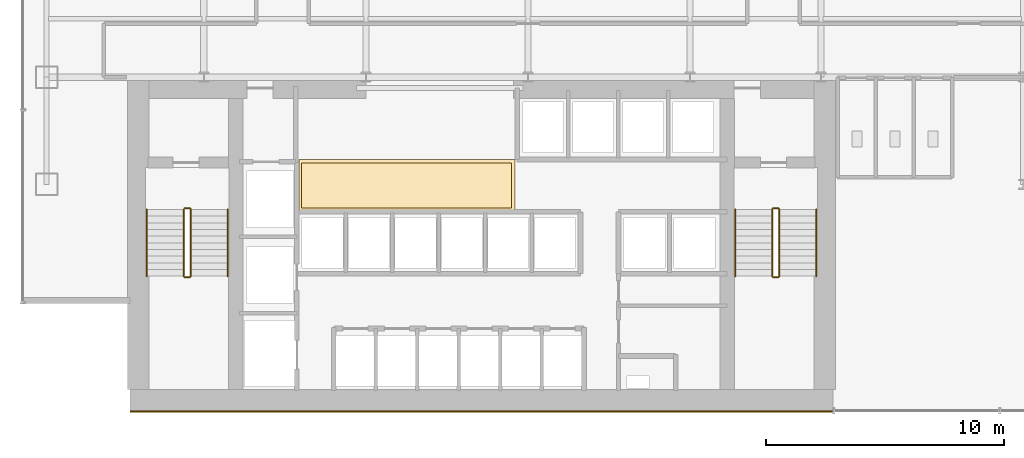
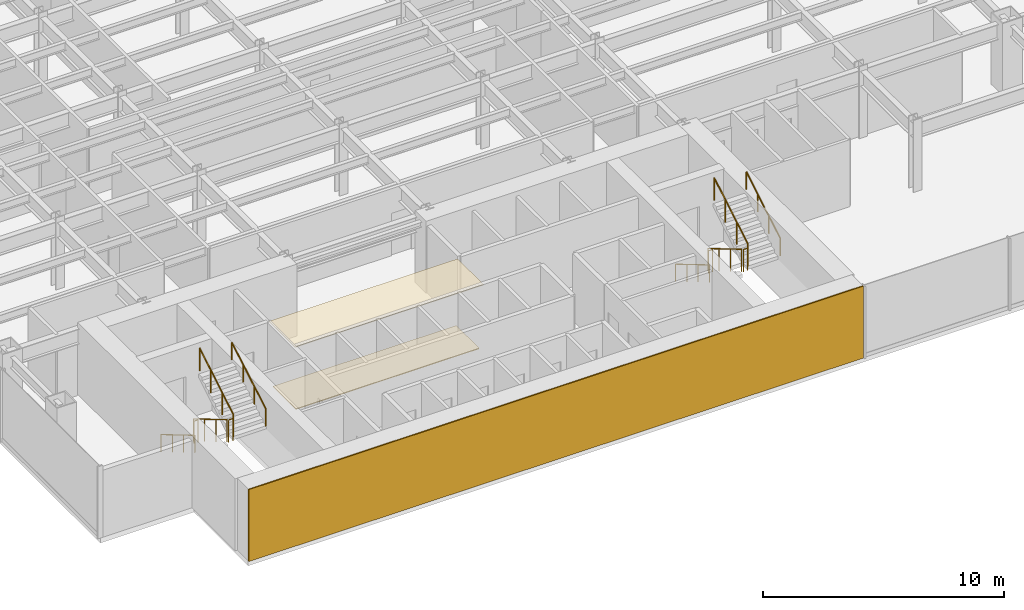
# One storey, part 21 of 23: 12 railings, 3 coverings.
"""IFC4 building model written with IfcOpenShell, lengths in metres."""

from ifc_helpers import new_model, si_unit, derived_unit, direction, frame, origin, origin_2d, place, context, subcontext, project, spatial, polyline, rectangle, circle, outline, extrude, source, transform, mapped, material, layer, layer_set, type_object, element, save


model = new_model("IFC4")

# Units and contexts
model_context = context("Model", 3, precision=1e-05, world=origin(), true_north=direction((0.0, 1.0)))
body_context = subcontext(model_context, "Body", "Model", "MODEL_VIEW")
ifc_project = project(units=[si_unit("LENGTHUNIT", "METRE"), si_unit("AREAUNIT", "SQUARE_METRE"), si_unit("VOLUMEUNIT", "CUBIC_METRE"), si_unit("PLANEANGLEUNIT", "RADIAN"), si_unit("MASSUNIT", "GRAM", prefix="KILO"), derived_unit("THERMALTRANSMITTANCEUNIT", [(si_unit("POWERUNIT", "WATT"), 1), (si_unit("LENGTHUNIT", "METRE"), -2), (si_unit("THERMODYNAMICTEMPERATUREUNIT", "KELVIN"), -1)])], contexts=[model_context])

# Site, building, storey
site_placement = place(None, origin())
site = spatial("IfcSite", under=ifc_project, at=site_placement, CompositionType="ELEMENT")
building_placement = place(site_placement, origin())
building = spatial("IfcBuilding", under=site, at=building_placement, Name="Skarnbrae Concourse Arena and Tower", CompositionType="ELEMENT")
storey_placement = place(building_placement, frame((0.0, 0.0, 43.449951171875)))
storey = spatial("IfcBuildingStorey", under=building, at=storey_placement, Name="L09", CompositionType="ELEMENT", Elevation=43.449951171875)

# Coverings
ifc_material_1 = material(Name="Mineral fibre acoustic ceiling tile", Category="other")
ifc_layer_1 = layer(ifc_material_1, 0.0400390625)
ifc_layer_set_1 = layer_set([ifc_layer_1], Name="Mineral fibre acoustic ceiling tile")
covering_type_1 = type_object("IfcCoveringType", Name="COV-CEIL-ACOUSTIC", PredefinedType="CEILING", material=ifc_layer_set_1)
covering_1_placement = place(storey_placement, frame((0.0, 0.0, 3.239990234375)))
element("IfcCovering", 1, at=covering_1_placement, inside=storey, type_object=covering_type_1, Name="L09 Lift lobby acoustic ceiling", PredefinedType="CEILING", context=body_context, shape_type="SweptSolid", body=[
    extrude(outline(polyline([(11.60009765625, 8.39990234375), (20.64990234375, 8.39990234375), (20.64990234375, 10.550048828125), (11.60009765625, 10.550048828125), (11.60009765625, 8.39990234375)])), origin(), (0.0, 0.0, 1.0), 0.0400390625),
])
ifc_material_2 = material(Name="Polished granite terrazzo flooring", Category="masonry")
ifc_layer_2 = layer(ifc_material_2, 0.0400390625)
ifc_layer_set_2 = layer_set([ifc_layer_2], Name="Polished granite terrazzo flooring")
covering_type_2 = type_object("IfcCoveringType", Name="COV-FLOOR-TERRAZZO", PredefinedType="FLOORING", material=ifc_layer_set_2)
covering_2_placement = place(storey_placement, origin())
element("IfcCovering", 2, at=covering_2_placement, inside=storey, type_object=covering_type_2, Name="L09 Lift lobby terrazzo flooring", PredefinedType="FLOORING", context=body_context, shape_type="SweptSolid", body=[
    extrude(outline(polyline([(11.699951171875, 8.5), (20.5, 8.5), (20.5, 10.39990234375), (11.699951171875, 10.39990234375), (11.699951171875, 8.5)])), origin(), (0.0, 0.0, 1.0), 0.0400390625),
])

# Railings
ifc_material_3 = material(Name="Steel CSA G40.21 350W", Category="steel")
railing_type_1 = type_object("IfcRailingType", Name="RAIL-HANDRAIL-900", PredefinedType="HANDRAIL", material=ifc_material_3)
railing_1_placement = place(storey_placement, frame((5.199951171875, 8.449951171875, 0.166015625)))
element("IfcRailing", 3, at=railing_1_placement, inside=storey, type_object=railing_type_1, Name="L09 ST-1 stair handrail 1", PredefinedType="HANDRAIL", context=body_context, shape_type="SweptSolid", body=[
    extrude(circle(Radius=0.02392578125, at=origin_2d()), frame((0.0, 0.0, 0.8759765625), z_axis=(0.0, -0.860339051648, 0.50972219513), x_axis=(1.0, 0.0, 0.0)), (0.0, 0.0, 1.0), 3.254638671875),
    extrude(circle(Radius=0.02099609375, at=origin_2d()), origin(), (0.0, 0.0, 1.0), 0.851806640625),
    extrude(circle(Radius=0.02099609375, at=origin_2d()), frame((0.0, -0.933349609375, 0.552978515625)), (0.0, 0.0, 1.0), 0.851806640625),
    extrude(circle(Radius=0.02099609375, at=origin_2d()), frame((0.0, -1.86669921875, 1.10595703125)), (0.0, 0.0, 1.0), 0.851806640625),
    extrude(circle(Radius=0.02099609375, at=origin_2d()), frame((0.0, -2.800048828125, 1.658935546875)), (0.0, 0.0, 1.0), 0.851806640625),
])
railing_2_placement = place(storey_placement, frame((8.60009765625, 5.64990234375, 1.990966796875)))
element("IfcRailing", 4, at=railing_2_placement, inside=storey, type_object=railing_type_1, Name="L09 ST-1 stair handrail 2", PredefinedType="HANDRAIL", context=body_context, shape_type="SweptSolid", body=[
    extrude(circle(Radius=0.02392578125, at=origin_2d()), frame((0.0, 0.0, 0.8759765625), z_axis=(0.0, 0.860306154799, 0.50977771628), x_axis=(-1.0, 0.0, 0.0)), (0.0, 0.0, 1.0), 3.254638671875),
    extrude(circle(Radius=0.02099609375, at=origin_2d()), origin(), (0.0, 0.0, 1.0), 0.851806640625),
    extrude(circle(Radius=0.02099609375, at=origin_2d()), frame((0.0, 0.933349609375, 0.552978515625)), (0.0, 0.0, 1.0), 0.851806640625),
    extrude(circle(Radius=0.02099609375, at=origin_2d()), frame((0.0, 1.86669921875, 1.106201171875)), (0.0, 0.0, 1.0), 0.851806640625),
    extrude(circle(Radius=0.02099609375, at=origin_2d()), frame((0.0, 2.800048828125, 1.6591796875)), (0.0, 0.0, 1.0), 0.851806640625),
])
railing_3_placement = place(storey_placement, frame((29.89990234375, 8.449951171875, 0.166015625)))
element("IfcRailing", 5, at=railing_3_placement, inside=storey, type_object=railing_type_1, Name="L09 ST-2 stair handrail 1", PredefinedType="HANDRAIL", context=body_context, shape_type="SweptSolid", body=[
    extrude(circle(Radius=0.02392578125, at=origin_2d()), frame((0.0, 0.0, 0.8759765625), z_axis=(0.0, -0.860339051648, 0.50972219513), x_axis=(1.0, 0.0, 0.0)), (0.0, 0.0, 1.0), 3.254638671875),
    extrude(circle(Radius=0.02099609375, at=origin_2d()), origin(), (0.0, 0.0, 1.0), 0.851806640625),
    extrude(circle(Radius=0.02099609375, at=origin_2d()), frame((0.0, -0.933349609375, 0.552978515625)), (0.0, 0.0, 1.0), 0.851806640625),
    extrude(circle(Radius=0.02099609375, at=origin_2d()), frame((0.0, -1.86669921875, 1.10595703125)), (0.0, 0.0, 1.0), 0.851806640625),
    extrude(circle(Radius=0.02099609375, at=origin_2d()), frame((0.0, -2.800048828125, 1.658935546875)), (0.0, 0.0, 1.0), 0.851806640625),
])
railing_4_placement = place(storey_placement, frame((33.300048828125, 5.64990234375, 1.990966796875)))
element("IfcRailing", 6, at=railing_4_placement, inside=storey, type_object=railing_type_1, Name="L09 ST-2 stair handrail 2", PredefinedType="HANDRAIL", context=body_context, shape_type="SweptSolid", body=[
    extrude(circle(Radius=0.02392578125, at=origin_2d()), frame((0.0, 0.0, 0.8759765625), z_axis=(0.0, 0.860306154799, 0.50977771628), x_axis=(-1.0, 0.0, 0.0)), (0.0, 0.0, 1.0), 3.254638671875),
    extrude(circle(Radius=0.02099609375, at=origin_2d()), origin(), (0.0, 0.0, 1.0), 0.851806640625),
    extrude(circle(Radius=0.02099609375, at=origin_2d()), frame((0.0, 0.933349609375, 0.552978515625)), (0.0, 0.0, 1.0), 0.851806640625),
    extrude(circle(Radius=0.02099609375, at=origin_2d()), frame((0.0, 1.86669921875, 1.106201171875)), (0.0, 0.0, 1.0), 0.851806640625),
    extrude(circle(Radius=0.02099609375, at=origin_2d()), frame((0.0, 2.800048828125, 1.6591796875)), (0.0, 0.0, 1.0), 0.851806640625),
])
railing_type_2 = type_object("IfcRailingType", Name="RAIL-STAIR-GUARD-1150", PredefinedType="GUARDRAIL", material=ifc_material_3)
railing_5_placement = place(storey_placement, frame((6.75, 8.449951171875, 0.166015625)))
element("IfcRailing", 7, at=railing_5_placement, inside=storey, type_object=railing_type_2, Name="L09 ST-1 stair guard 1", PredefinedType="GUARDRAIL", context=body_context, shape_type="SweptSolid", body=[
    extrude(circle(Radius=0.02392578125, at=origin_2d()), frame((0.0, 0.0, 1.1259765625), z_axis=(0.0, -0.860339051648, 0.50972219513), x_axis=(1.0, 0.0, 0.0)), (0.0, 0.0, 1.0), 3.254638671875),
    extrude(circle(Radius=0.02099609375, at=origin_2d()), origin(), (0.0, 0.0, 1.0), 1.101806640625),
    extrude(circle(Radius=0.02099609375, at=origin_2d()), frame((0.0, -0.933349609375, 0.552978515625)), (0.0, 0.0, 1.0), 1.101806640625),
    extrude(circle(Radius=0.02099609375, at=origin_2d()), frame((0.0, -1.86669921875, 1.10595703125)), (0.0, 0.0, 1.0), 1.101806640625),
    extrude(circle(Radius=0.02099609375, at=origin_2d()), frame((0.0, -2.800048828125, 1.658935546875)), (0.0, 0.0, 1.0), 1.101806640625),
])
railing_6_placement = place(storey_placement, frame((6.800048828125, 5.60009765625, 1.824951171875)))
element("IfcRailing", 8, at=railing_6_placement, inside=storey, type_object=railing_type_2, Name="L09 ST-1 stair guard 2", PredefinedType="GUARDRAIL", context=body_context, shape_type="SweptSolid", body=[
    extrude(circle(Radius=0.02392578125, at=origin_2d()), frame((0.0, 0.0, 1.1259765625), z_axis=(1.0, 0.0, 0.0), x_axis=(0.0, 1.0, 0.0)), (0.0, 0.0, 1.0), 0.199951171875),
    extrude(circle(Radius=0.02099609375, at=origin_2d()), origin(), (0.0, 0.0, 1.0), 1.101806640625),
    extrude(circle(Radius=0.02099609375, at=origin_2d()), frame((0.199951171875, 0.0, 0.0)), (0.0, 0.0, 1.0), 1.101806640625),
])
railing_7_placement = place(storey_placement, frame((7.050048828125, 5.64990234375, 1.990966796875)))
element("IfcRailing", 9, at=railing_7_placement, inside=storey, type_object=railing_type_2, Name="L09 ST-1 stair guard 3", PredefinedType="GUARDRAIL", context=body_context, shape_type="SweptSolid", body=[
    extrude(circle(Radius=0.02392578125, at=origin_2d()), frame((0.0, 0.0, 1.1259765625), z_axis=(0.0, 0.860306154799, 0.50977771628), x_axis=(-1.0, 0.0, 0.0)), (0.0, 0.0, 1.0), 3.254638671875),
    extrude(circle(Radius=0.02099609375, at=origin_2d()), origin(), (0.0, 0.0, 1.0), 1.101806640625),
    extrude(circle(Radius=0.02099609375, at=origin_2d()), frame((0.0, 0.933349609375, 0.552978515625)), (0.0, 0.0, 1.0), 1.101806640625),
    extrude(circle(Radius=0.02099609375, at=origin_2d()), frame((0.0, 1.86669921875, 1.106201171875)), (0.0, 0.0, 1.0), 1.101806640625),
    extrude(circle(Radius=0.02099609375, at=origin_2d()), frame((0.0, 2.800048828125, 1.6591796875)), (0.0, 0.0, 1.0), 1.101806640625),
])
railing_8_placement = place(storey_placement, frame((6.800048828125, 8.5, 0.0)))
element("IfcRailing", 10, at=railing_8_placement, inside=storey, type_object=railing_type_2, Name="L09 ST-1 stair guard 4", PredefinedType="GUARDRAIL", context=body_context, shape_type="SweptSolid", body=[
    extrude(circle(Radius=0.02392578125, at=origin_2d()), frame((0.0, 0.0, 1.1259765625), z_axis=(1.0, 0.0, 0.0), x_axis=(0.0, 1.0, 0.0)), (0.0, 0.0, 1.0), 0.199951171875),
    extrude(circle(Radius=0.02099609375, at=origin_2d()), origin(), (0.0, 0.0, 1.0), 1.101806640625),
    extrude(circle(Radius=0.02099609375, at=origin_2d()), frame((0.199951171875, 0.0, 0.0)), (0.0, 0.0, 1.0), 1.101806640625),
])
railing_9_placement = place(storey_placement, frame((31.449951171875, 8.449951171875, 0.166015625)))
element("IfcRailing", 11, at=railing_9_placement, inside=storey, type_object=railing_type_2, Name="L09 ST-2 stair guard 1", PredefinedType="GUARDRAIL", context=body_context, shape_type="SweptSolid", body=[
    extrude(circle(Radius=0.02392578125, at=origin_2d()), frame((0.0, 0.0, 1.1259765625), z_axis=(0.0, -0.860339051648, 0.50972219513), x_axis=(1.0, 0.0, 0.0)), (0.0, 0.0, 1.0), 3.254638671875),
    extrude(circle(Radius=0.02099609375, at=origin_2d()), origin(), (0.0, 0.0, 1.0), 1.101806640625),
    extrude(circle(Radius=0.02099609375, at=origin_2d()), frame((0.0, -0.933349609375, 0.552978515625)), (0.0, 0.0, 1.0), 1.101806640625),
    extrude(circle(Radius=0.02099609375, at=origin_2d()), frame((0.0, -1.86669921875, 1.10595703125)), (0.0, 0.0, 1.0), 1.101806640625),
    extrude(circle(Radius=0.02099609375, at=origin_2d()), frame((0.0, -2.800048828125, 1.658935546875)), (0.0, 0.0, 1.0), 1.101806640625),
])
railing_10_placement = place(storey_placement, frame((31.5, 5.60009765625, 1.824951171875)))
element("IfcRailing", 12, at=railing_10_placement, inside=storey, type_object=railing_type_2, Name="L09 ST-2 stair guard 2", PredefinedType="GUARDRAIL", context=body_context, shape_type="SweptSolid", body=[
    extrude(circle(Radius=0.02392578125, at=origin_2d()), frame((0.0, 0.0, 1.1259765625), z_axis=(1.0, 0.0, 0.0), x_axis=(0.0, 1.0, 0.0)), (0.0, 0.0, 1.0), 0.199951171875),
    extrude(circle(Radius=0.02099609375, at=origin_2d()), origin(), (0.0, 0.0, 1.0), 1.101806640625),
    extrude(circle(Radius=0.02099609375, at=origin_2d()), frame((0.199951171875, 0.0, 0.0)), (0.0, 0.0, 1.0), 1.101806640625),
])
railing_11_placement = place(storey_placement, frame((31.75, 5.64990234375, 1.990966796875)))
element("IfcRailing", 13, at=railing_11_placement, inside=storey, type_object=railing_type_2, Name="L09 ST-2 stair guard 3", PredefinedType="GUARDRAIL", context=body_context, shape_type="SweptSolid", body=[
    extrude(circle(Radius=0.02392578125, at=origin_2d()), frame((0.0, 0.0, 1.1259765625), z_axis=(0.0, 0.860306154799, 0.50977771628), x_axis=(-1.0, 0.0, 0.0)), (0.0, 0.0, 1.0), 3.254638671875),
    extrude(circle(Radius=0.02099609375, at=origin_2d()), origin(), (0.0, 0.0, 1.0), 1.101806640625),
    extrude(circle(Radius=0.02099609375, at=origin_2d()), frame((0.0, 0.933349609375, 0.552978515625)), (0.0, 0.0, 1.0), 1.101806640625),
    extrude(circle(Radius=0.02099609375, at=origin_2d()), frame((0.0, 1.86669921875, 1.106201171875)), (0.0, 0.0, 1.0), 1.101806640625),
    extrude(circle(Radius=0.02099609375, at=origin_2d()), frame((0.0, 2.800048828125, 1.6591796875)), (0.0, 0.0, 1.0), 1.101806640625),
])
railing_12_placement = place(storey_placement, frame((31.5, 8.5, 0.0)))
element("IfcRailing", 14, at=railing_12_placement, inside=storey, type_object=railing_type_2, Name="L09 ST-2 stair guard 4", PredefinedType="GUARDRAIL", context=body_context, shape_type="SweptSolid", body=[
    extrude(circle(Radius=0.02392578125, at=origin_2d()), frame((0.0, 0.0, 1.1259765625), z_axis=(1.0, 0.0, 0.0), x_axis=(0.0, 1.0, 0.0)), (0.0, 0.0, 1.0), 0.199951171875),
    extrude(circle(Radius=0.02099609375, at=origin_2d()), origin(), (0.0, 0.0, 1.0), 1.101806640625),
    extrude(circle(Radius=0.02099609375, at=origin_2d()), frame((0.199951171875, 0.0, 0.0)), (0.0, 0.0, 1.0), 1.101806640625),
])

# Covering
ifc_material_4 = material(Name="Bronze anodised aluminium 6063-T6", Category="aluminium")
ifc_layer_3 = layer(ifc_material_4, 0.06005859375)
ifc_layer_set_3 = layer_set([ifc_layer_3], Name="Bronze anodised aluminium 6063-T6")
covering_type_3 = type_object("IfcCoveringType", Name="COV-CLAD-BRONZE-60", PredefinedType="CLADDING", material=ifc_layer_set_3)
shared_shape = source(origin(), body_context, "Body", "SweptSolid", [
    extrude(rectangle(XDim=29.5, YDim=0.06005859375, at=origin_2d()), origin(), (0.0, 0.0, 1.0), 3.64990234375),
])
covering_3_placement = place(storey_placement, frame((19.25, -0.030029296875, 0.0), z_axis=(0.0, 0.0, 1.0), x_axis=(1.0, 0.0, 0.0)))
element("IfcCovering", 15, at=covering_3_placement, inside=storey, type_object=covering_type_3, Name="L09 Rear-core plumb spine bronze rainscreen panel", PredefinedType="CLADDING", context=body_context, shape_type="MappedRepresentation", body=[
    mapped(shared_shape, transform((0.0, 0.0, 0.0))),
])

save(model, "model.ifc")
